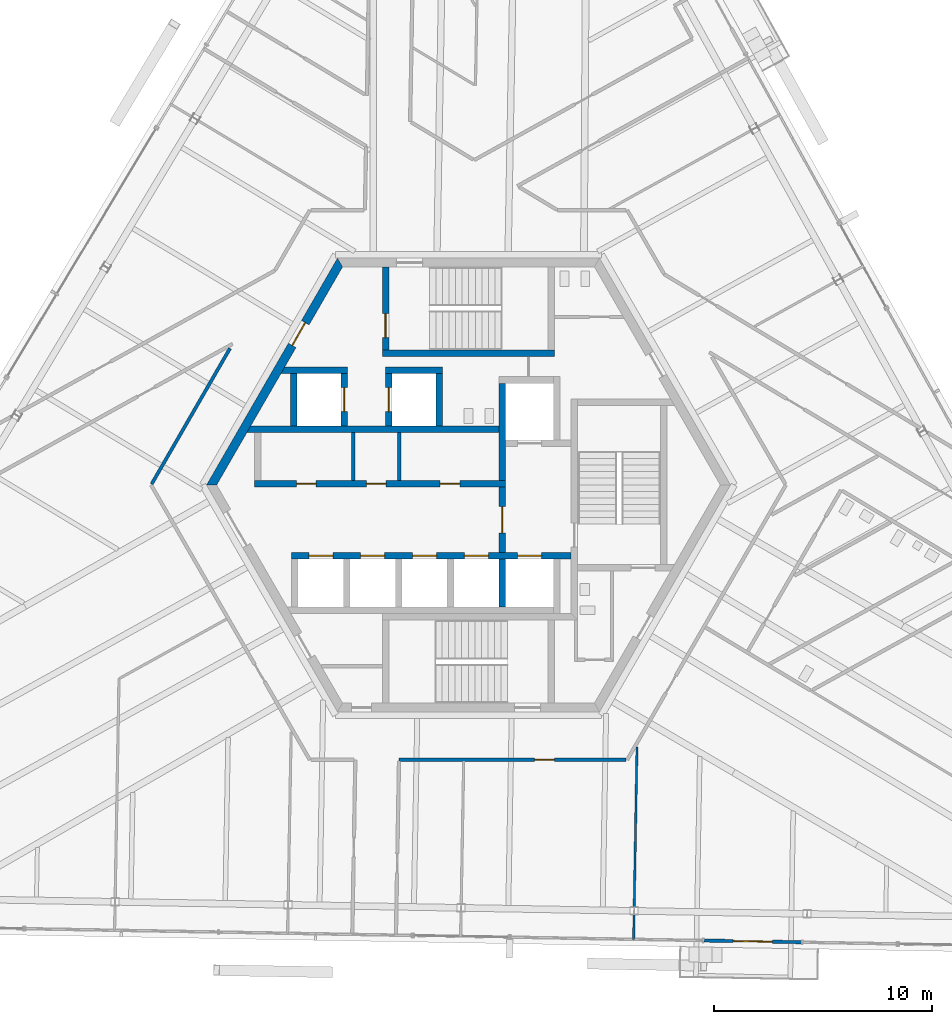
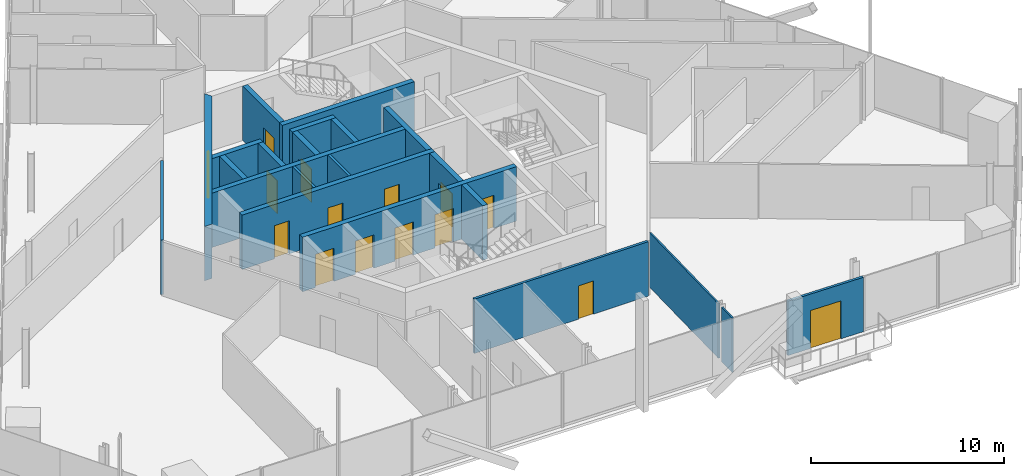
# One storey, part 12 of 21: 22 walls, 15 doors, 15 openings.
"""IFC4 building model written with IfcOpenShell, lengths in metres."""

from ifc_helpers import new_model, si_unit, direction, frame, frame_2d, origin, place, context, subcontext, project, spatial, polyline, rectangle, outline, extrude, source, transform, mapped, material, layer, layer_set, type_object, element, fill, save


model = new_model("IFC4")

# Units and contexts
model_context = context("Model", 3, precision=1e-05, world=origin(), true_north=direction((0.0, 1.0)))
body_context = subcontext(model_context, "Body", "Model", "MODEL_VIEW")
ifc_project = project(units=[si_unit("LENGTHUNIT", "METRE"), si_unit("AREAUNIT", "SQUARE_METRE"), si_unit("VOLUMEUNIT", "CUBIC_METRE"), si_unit("PLANEANGLEUNIT", "RADIAN"), si_unit("MASSUNIT", "GRAM", prefix="KILO")], contexts=[model_context])

# Site, building, storey
site_placement = place(None, origin())
site = spatial("IfcSite", under=ifc_project, at=site_placement, CompositionType="ELEMENT")
building_placement = place(site_placement, origin())
building = spatial("IfcBuilding", under=site, at=building_placement, Name="Triune Harvest Tower", CompositionType="ELEMENT")
storey_placement = place(building_placement, frame((0.0, 0.0, 201.5)))
storey = spatial("IfcBuildingStorey", under=building, at=storey_placement, Name="L52", CompositionType="ELEMENT", Elevation=201.5)

# Wall, opening, door
ifc_material_1 = material(Name="Concrete 70 MPa", Category="concrete")
ifc_layer_1 = layer(ifc_material_1, 0.39990234375)
ifc_layer_set_1 = layer_set([ifc_layer_1], Name="Concrete 70 MPa")
wall_type_1 = type_object("IfcWallType", Name="Core wall 400", PredefinedType="SHEAR", material=ifc_layer_set_1)
shared_shape_1 = source(origin(), body_context, "Body", "SweptSolid", [
    extrude(outline(polyline([(-0.115478515625, -0.199951171875), (11.884521484375, -0.199951171875), (11.653564453125, 0.199951171875), (0.115478515625, 0.199951171875), (-0.115478515625, -0.199951171875)])), origin(), (0.0, 0.0, 1.0), 3.43994140625),
])
wall_1_placement = place(storey_placement, frame((-5.884521484375, 10.1923828125, 0.0), z_axis=(0.0, 0.0, 1.0), x_axis=(-0.499996592174, -0.866027371285, 0.0)))
wall_1 = element("IfcWall", 1, at=wall_1_placement, inside=storey, type_object=wall_type_1, Name="Hexagon 2 wall", PredefinedType="SHEAR", context=body_context, shape_type="MappedRepresentation", body=[
    mapped(shared_shape_1, transform((0.0, 0.0, 0.0), scale=1.0)),
])
opening_1_placement = place(wall_1_placement, frame((3.1845703125, 0.0, 0.0)))
opening_1 = element("IfcOpeningElement", 2, at=opening_1_placement, cuts=wall_1, Name="Opening CD-SVP", PredefinedType="OPENING", context=body_context, shape_type="SweptSolid", body=[
    extrude(rectangle(XDim=1.199951171875, YDim=2.10009765625, at=frame_2d((0.60009765625, 1.050048828125))), frame((0.0, 0.2099609375, 0.0), z_axis=(0.0, -1.0, 0.0), x_axis=(1.0, 0.0, 0.0)), (0.0, 0.0, 1.0), 0.419921875),
])
ifc_material_2 = material(Name="Steel S235", Category="steel")
door_type_1 = type_object("IfcDoorType", Name="Service door 1200 FD120", OperationType="SINGLE_SWING_LEFT", PredefinedType="DOOR", material=ifc_material_2)
door_1_placement = place(opening_1_placement, frame((1.199951171875, 0.0, 0.0), z_axis=(0.0, 0.0, 1.0), x_axis=(-1.0, 0.0, 0.0)))
door_1 = element("IfcDoor", 3, at=door_1_placement, inside=storey, type_object=door_type_1, Name="Door CD-SVP", OperationType="SINGLE_SWING_RIGHT", OverallHeight=2.10009765625, OverallWidth=1.199951171875, PredefinedType="DOOR", context=body_context, shape_type="SweptSolid", body=[
    extrude(rectangle(XDim=1.199951171875, YDim=2.10009765625, at=frame_2d((0.60009765625, 1.050048828125))), frame((0.0, 0.02490234375, 0.0), z_axis=(0.0, -1.0, 0.0), x_axis=(1.0, 0.0, 0.0)), (0.0, 0.0, 1.0), 0.050048828125),
])
fill(opening_1, door_1)

# Wall, openings, doors
ifc_material_3 = material(Name="Concrete 70 MPa", Category="concrete")
ifc_layer_2 = layer(ifc_material_3, 0.300048828125)
ifc_layer_set_2 = layer_set([ifc_layer_2], Name="Concrete 70 MPa")
wall_type_2 = type_object("IfcWallType", Name="Core wall 300", PredefinedType="SHEAR", material=ifc_layer_set_2)
shared_shape_2 = source(origin(), body_context, "Body", "SweptSolid", [
    extrude(rectangle(XDim=11.5, YDim=0.300048828125, at=frame_2d((5.75, 0.0))), origin(), (0.0, 0.0, 1.0), 3.43994140625),
])
wall_2_placement = place(storey_placement, frame((-9.800048828125, 0.06005859375, 0.0), z_axis=(0.0, 0.0, 1.0), x_axis=(1.0, 0.0, 0.0)))
wall_2 = element("IfcWall", 4, at=wall_2_placement, inside=storey, type_object=wall_type_2, Name="North front wall", PredefinedType="SHEAR", context=body_context, shape_type="MappedRepresentation", body=[
    mapped(shared_shape_2, transform((0.0, 0.0, 0.0), scale=1.0)),
])
opening_2_placement = place(wall_2_placement, frame((1.922607421875, 0.0, 0.0)))
opening_2 = element("IfcOpeningElement", 5, at=opening_2_placement, cuts=wall_2, Name="Opening CD-RN1", PredefinedType="OPENING", context=body_context, shape_type="SweptSolid", body=[
    extrude(rectangle(XDim=0.89990234375, YDim=2.10009765625, at=frame_2d((0.449951171875, 1.050048828125))), frame((0.0, 0.16015625, 0.0), z_axis=(0.0, -1.0, 0.0), x_axis=(1.0, 0.0, 0.0)), (0.0, 0.0, 1.0), 0.320068359375),
])
opening_3_placement = place(wall_2_placement, frame((5.125, 0.0, 0.0)))
opening_3 = element("IfcOpeningElement", 6, at=opening_3_placement, cuts=wall_2, Name="Opening CD-RN2", PredefinedType="OPENING", context=body_context, shape_type="SweptSolid", body=[
    extrude(rectangle(XDim=0.89990234375, YDim=2.10009765625, at=frame_2d((0.449951171875, 1.050048828125))), frame((0.0, 0.16015625, 0.0), z_axis=(0.0, -1.0, 0.0), x_axis=(1.0, 0.0, 0.0)), (0.0, 0.0, 1.0), 0.320068359375),
])
opening_4_placement = place(wall_2_placement, frame((8.50244140625, 0.0, 0.0)))
opening_4 = element("IfcOpeningElement", 7, at=opening_4_placement, cuts=wall_2, Name="Opening CD-RN3", PredefinedType="OPENING", context=body_context, shape_type="SweptSolid", body=[
    extrude(rectangle(XDim=0.89990234375, YDim=2.10009765625, at=frame_2d((0.449951171875, 1.050048828125))), frame((0.0, 0.16015625, 0.0), z_axis=(0.0, -1.0, 0.0), x_axis=(1.0, 0.0, 0.0)), (0.0, 0.0, 1.0), 0.320068359375),
])
ifc_material_4 = material(Name="Steel S235", Category="steel")
door_type_2 = type_object("IfcDoorType", Name="Riser door 900 FD120", OperationType="SINGLE_SWING_LEFT", PredefinedType="DOOR", material=ifc_material_4)
door_2_placement = place(opening_2_placement, frame((0.89990234375, 0.0, 0.0), z_axis=(0.0, 0.0, 1.0), x_axis=(-1.0, 0.0, 0.0)))
door_2 = element("IfcDoor", 8, at=door_2_placement, inside=storey, type_object=door_type_2, Name="Door CD-RN1", OperationType="SINGLE_SWING_RIGHT", OverallHeight=2.10009765625, OverallWidth=0.89990234375, PredefinedType="DOOR", context=body_context, shape_type="SweptSolid", body=[
    extrude(rectangle(XDim=0.89990234375, YDim=2.10009765625, at=frame_2d((0.449951171875, 1.050048828125))), frame((0.0, 0.02490234375, 0.0), z_axis=(0.0, -1.0, 0.0), x_axis=(1.0, 0.0, 0.0)), (0.0, 0.0, 1.0), 0.050048828125),
])
fill(opening_2, door_2)
door_3_placement = place(opening_3_placement, frame((0.89990234375, 0.0, 0.0), z_axis=(0.0, 0.0, 1.0), x_axis=(-1.0, 0.0, 0.0)))
door_3 = element("IfcDoor", 9, at=door_3_placement, inside=storey, type_object=door_type_2, Name="Door CD-RN2", OperationType="SINGLE_SWING_RIGHT", OverallHeight=2.10009765625, OverallWidth=0.89990234375, PredefinedType="DOOR", context=body_context, shape_type="SweptSolid", body=[
    extrude(rectangle(XDim=0.89990234375, YDim=2.10009765625, at=frame_2d((0.449951171875, 1.050048828125))), frame((0.0, 0.02490234375, 0.0), z_axis=(0.0, -1.0, 0.0), x_axis=(1.0, 0.0, 0.0)), (0.0, 0.0, 1.0), 0.050048828125),
])
fill(opening_3, door_3)
door_4_placement = place(opening_4_placement, frame((0.89990234375, 0.0, 0.0), z_axis=(0.0, 0.0, 1.0), x_axis=(-1.0, 0.0, 0.0)))
door_4 = element("IfcDoor", 10, at=door_4_placement, inside=storey, type_object=door_type_2, Name="Door CD-RN3", OperationType="SINGLE_SWING_RIGHT", OverallHeight=2.10009765625, OverallWidth=0.89990234375, PredefinedType="DOOR", context=body_context, shape_type="SweptSolid", body=[
    extrude(rectangle(XDim=0.89990234375, YDim=2.10009765625, at=frame_2d((0.449951171875, 1.050048828125))), frame((0.0, 0.02490234375, 0.0), z_axis=(0.0, -1.0, 0.0), x_axis=(1.0, 0.0, 0.0)), (0.0, 0.0, 1.0), 0.050048828125),
])
fill(opening_4, door_4)

# Walls
shared_shape_3 = source(origin(), body_context, "Body", "SweptSolid", [
    extrude(outline(polyline([(11.199951171875, -0.14990234375), (-0.34912109375, -0.14990234375), (-0.17578125, 0.14990234375), (11.199951171875, 0.14990234375), (11.199951171875, -0.14990234375)])), origin(), (0.0, 0.0, 1.0), 3.43994140625),
])
wall_3_placement = place(storey_placement, frame((-9.800048828125, 2.56005859375, 0.0), z_axis=(0.0, 0.0, 1.0), x_axis=(1.0, 0.0, 0.0)))
element("IfcWall", 11, at=wall_3_placement, inside=storey, type_object=wall_type_2, Name="North back wall", PredefinedType="SHEAR", context=body_context, shape_type="MappedRepresentation", body=[
    mapped(shared_shape_3, transform((0.0, 0.0, 0.0), scale=1.0)),
])
shared_shape_4 = source(origin(), body_context, "Body", "SweptSolid", [
    extrude(rectangle(XDim=4.449951171875, YDim=0.300048828125, at=frame_2d((2.22509765625, 0.0))), origin(), (0.0, 0.0, 1.0), 3.43994140625),
])
wall_4_placement = place(storey_placement, frame((1.550048828125, 0.2099609375, 0.0), z_axis=(0.0, 0.0, 1.0), x_axis=(0.0, 1.0, 0.0)))
element("IfcWall", 12, at=wall_4_placement, inside=storey, type_object=wall_type_2, Name="Ff1 west wall", PredefinedType="SHEAR", context=body_context, shape_type="MappedRepresentation", body=[
    mapped(shared_shape_4, transform((0.0, 0.0, 0.0), scale=1.0)),
])

# Wall, opening, door
shared_shape_5 = source(origin(), body_context, "Body", "SweptSolid", [
    extrude(rectangle(XDim=3.0, YDim=0.300048828125, at=frame_2d((1.5, 0.0))), origin(), (0.0, 0.0, 1.0), 3.43994140625),
])
wall_5_placement = place(storey_placement, frame((1.550048828125, -3.090087890625, 0.0), z_axis=(0.0, 0.0, 1.0), x_axis=(0.0, 1.0, 0.0)))
wall_5 = element("IfcWall", 13, at=wall_5_placement, inside=storey, type_object=wall_type_2, Name="Ff lobby west wall", PredefinedType="SHEAR", context=body_context, shape_type="MappedRepresentation", body=[
    mapped(shared_shape_5, transform((0.0, 0.0, 0.0), scale=1.0)),
])
opening_5_placement = place(wall_5_placement, frame((0.89990234375, 0.0, 0.0)))
opening_5 = element("IfcOpeningElement", 14, at=opening_5_placement, cuts=wall_5, Name="Opening CD-FL", PredefinedType="OPENING", context=body_context, shape_type="SweptSolid", body=[
    extrude(rectangle(XDim=1.199951171875, YDim=2.10009765625, at=frame_2d((0.60009765625, 1.050048828125))), frame((0.0, 0.16015625, 0.0), z_axis=(0.0, -1.0, 0.0), x_axis=(1.0, 0.0, 0.0)), (0.0, 0.0, 1.0), 0.320068359375),
])
ifc_material_5 = material(Name="Steel S235", Category="steel")
door_type_3 = type_object("IfcDoorType", Name="Firefighters' lobby door 1200 FD120", OperationType="SINGLE_SWING_LEFT", PredefinedType="DOOR", material=ifc_material_5)
door_5_placement = place(opening_5_placement, frame((1.199951171875, 0.0, 0.0), z_axis=(0.0, 0.0, 1.0), x_axis=(-1.0, 0.0, 0.0)))
door_5 = element("IfcDoor", 15, at=door_5_placement, inside=storey, type_object=door_type_3, Name="Door CD-FL", OperationType="SINGLE_SWING_RIGHT", OverallHeight=2.10009765625, OverallWidth=1.199951171875, PredefinedType="DOOR", context=body_context, shape_type="SweptSolid", body=[
    extrude(rectangle(XDim=1.199951171875, YDim=2.10009765625, at=frame_2d((0.60009765625, 1.050048828125))), frame((0.0, 0.02490234375, 0.0), z_axis=(0.0, -1.0, 0.0), x_axis=(1.0, 0.0, 0.0)), (0.0, 0.0, 1.0), 0.050048828125),
])
fill(opening_5, door_5)

# Wall, openings, doors
shared_shape_6 = source(origin(), body_context, "Body", "SweptSolid", [
    extrude(rectangle(XDim=12.800048828125, YDim=0.300048828125, at=frame_2d((6.39990234375, 0.0))), origin(), (0.0, 0.0, 1.0), 3.43994140625),
])
wall_6_placement = place(storey_placement, frame((-8.10009765625, -3.239990234375, 0.0), z_axis=(0.0, 0.0, 1.0), x_axis=(1.0, 0.0, 0.0)))
wall_6 = element("IfcWall", 16, at=wall_6_placement, inside=storey, type_object=wall_type_2, Name="South front wall", PredefinedType="SHEAR", context=body_context, shape_type="MappedRepresentation", body=[
    mapped(shared_shape_6, transform((0.0, 0.0, 0.0), scale=1.0)),
])
opening_6_placement = place(wall_6_placement, frame((0.78759765625, 0.0, 0.0)))
opening_6 = element("IfcOpeningElement", 17, at=opening_6_placement, cuts=wall_6, Name="Opening LD-HR1-52", PredefinedType="OPENING", context=body_context, shape_type="SweptSolid", body=[
    extrude(rectangle(XDim=1.10009765625, YDim=2.10009765625, at=frame_2d((0.550048828125, 1.050048828125))), frame((0.0, 0.16015625, 0.0), z_axis=(0.0, -1.0, 0.0), x_axis=(1.0, 0.0, 0.0)), (0.0, 0.0, 1.0), 0.320068359375),
])
opening_7_placement = place(wall_6_placement, frame((3.16259765625, 0.0, 0.0)))
opening_7 = element("IfcOpeningElement", 18, at=opening_7_placement, cuts=wall_6, Name="Opening LD-HR2-52", PredefinedType="OPENING", context=body_context, shape_type="SweptSolid", body=[
    extrude(rectangle(XDim=1.10009765625, YDim=2.10009765625, at=frame_2d((0.550048828125, 1.050048828125))), frame((0.0, 0.16015625, 0.0), z_axis=(0.0, -1.0, 0.0), x_axis=(1.0, 0.0, 0.0)), (0.0, 0.0, 1.0), 0.320068359375),
])
opening_8_placement = place(wall_6_placement, frame((5.53759765625, 0.0, 0.0)))
opening_8 = element("IfcOpeningElement", 19, at=opening_8_placement, cuts=wall_6, Name="Opening LD-HR3-52", PredefinedType="OPENING", context=body_context, shape_type="SweptSolid", body=[
    extrude(rectangle(XDim=1.10009765625, YDim=2.10009765625, at=frame_2d((0.550048828125, 1.050048828125))), frame((0.0, 0.16015625, 0.0), z_axis=(0.0, -1.0, 0.0), x_axis=(1.0, 0.0, 0.0)), (0.0, 0.0, 1.0), 0.320068359375),
])
opening_9_placement = place(wall_6_placement, frame((7.91259765625, 0.0, 0.0)))
opening_9 = element("IfcOpeningElement", 20, at=opening_9_placement, cuts=wall_6, Name="Opening LD-HR4-52", PredefinedType="OPENING", context=body_context, shape_type="SweptSolid", body=[
    extrude(rectangle(XDim=1.10009765625, YDim=2.10009765625, at=frame_2d((0.550048828125, 1.050048828125))), frame((0.0, 0.16015625, 0.0), z_axis=(0.0, -1.0, 0.0), x_axis=(1.0, 0.0, 0.0)), (0.0, 0.0, 1.0), 0.320068359375),
])
opening_10_placement = place(wall_6_placement, frame((10.35009765625, 0.0, 0.0)))
opening_10 = element("IfcOpeningElement", 21, at=opening_10_placement, cuts=wall_6, Name="Opening LD-FF2-52", PredefinedType="OPENING", context=body_context, shape_type="SweptSolid", body=[
    extrude(rectangle(XDim=1.10009765625, YDim=2.10009765625, at=frame_2d((0.550048828125, 1.050048828125))), frame((0.0, 0.16015625, 0.0), z_axis=(0.0, -1.0, 0.0), x_axis=(1.0, 0.0, 0.0)), (0.0, 0.0, 1.0), 0.320068359375),
])
ifc_material_6 = material(Name="Stainless steel AISI 304", Category="steel")
door_type_4 = type_object("IfcDoorType", Name="Landing door 1100 x 2100", OperationType="DOUBLE_DOOR_SLIDING", PredefinedType="DOOR", material=ifc_material_6)
door_6_placement = place(opening_6_placement, origin())
door_6 = element("IfcDoor", 22, at=door_6_placement, inside=storey, type_object=door_type_4, Name="Door LD-HR1-52", OperationType="DOUBLE_DOOR_SLIDING", OverallHeight=2.10009765625, OverallWidth=1.10009765625, PredefinedType="DOOR", context=body_context, shape_type="SweptSolid", body=[
    extrude(rectangle(XDim=1.10009765625, YDim=2.10009765625, at=frame_2d((0.550048828125, 1.050048828125))), frame((0.0, 0.02490234375, 0.0), z_axis=(0.0, -1.0, 0.0), x_axis=(1.0, 0.0, 0.0)), (0.0, 0.0, 1.0), 0.050048828125),
])
fill(opening_6, door_6)
door_7_placement = place(opening_7_placement, origin())
door_7 = element("IfcDoor", 23, at=door_7_placement, inside=storey, type_object=door_type_4, Name="Door LD-HR2-52", OperationType="DOUBLE_DOOR_SLIDING", OverallHeight=2.10009765625, OverallWidth=1.10009765625, PredefinedType="DOOR", context=body_context, shape_type="SweptSolid", body=[
    extrude(rectangle(XDim=1.10009765625, YDim=2.10009765625, at=frame_2d((0.550048828125, 1.050048828125))), frame((0.0, 0.02490234375, 0.0), z_axis=(0.0, -1.0, 0.0), x_axis=(1.0, 0.0, 0.0)), (0.0, 0.0, 1.0), 0.050048828125),
])
fill(opening_7, door_7)
door_8_placement = place(opening_8_placement, origin())
door_8 = element("IfcDoor", 24, at=door_8_placement, inside=storey, type_object=door_type_4, Name="Door LD-HR3-52", OperationType="DOUBLE_DOOR_SLIDING", OverallHeight=2.10009765625, OverallWidth=1.10009765625, PredefinedType="DOOR", context=body_context, shape_type="SweptSolid", body=[
    extrude(rectangle(XDim=1.10009765625, YDim=2.10009765625, at=frame_2d((0.550048828125, 1.050048828125))), frame((0.0, 0.02490234375, 0.0), z_axis=(0.0, -1.0, 0.0), x_axis=(1.0, 0.0, 0.0)), (0.0, 0.0, 1.0), 0.050048828125),
])
fill(opening_8, door_8)
door_9_placement = place(opening_9_placement, origin())
door_9 = element("IfcDoor", 25, at=door_9_placement, inside=storey, type_object=door_type_4, Name="Door LD-HR4-52", OperationType="DOUBLE_DOOR_SLIDING", OverallHeight=2.10009765625, OverallWidth=1.10009765625, PredefinedType="DOOR", context=body_context, shape_type="SweptSolid", body=[
    extrude(rectangle(XDim=1.10009765625, YDim=2.10009765625, at=frame_2d((0.550048828125, 1.050048828125))), frame((0.0, 0.02490234375, 0.0), z_axis=(0.0, -1.0, 0.0), x_axis=(1.0, 0.0, 0.0)), (0.0, 0.0, 1.0), 0.050048828125),
])
fill(opening_9, door_9)
door_10_placement = place(opening_10_placement, origin())
door_10 = element("IfcDoor", 26, at=door_10_placement, inside=storey, type_object=door_type_4, Name="Door LD-FF2-52", OperationType="DOUBLE_DOOR_SLIDING", OverallHeight=2.10009765625, OverallWidth=1.10009765625, PredefinedType="DOOR", context=body_context, shape_type="SweptSolid", body=[
    extrude(rectangle(XDim=1.10009765625, YDim=2.10009765625, at=frame_2d((0.550048828125, 1.050048828125))), frame((0.0, 0.02490234375, 0.0), z_axis=(0.0, -1.0, 0.0), x_axis=(1.0, 0.0, 0.0)), (0.0, 0.0, 1.0), 0.050048828125),
])
fill(opening_10, door_10)

# Walls
shared_shape_7 = source(origin(), body_context, "Body", "SweptSolid", [
    extrude(rectangle(XDim=2.2001953125, YDim=0.300048828125, at=frame_2d((1.10009765625, 0.0))), origin(), (0.0, 0.0, 1.0), 3.43994140625),
])
wall_7_placement = place(storey_placement, frame((1.550048828125, -5.590087890625, 0.0), z_axis=(0.0, 0.0, 1.0), x_axis=(0.0, 1.0, 0.0)))
element("IfcWall", 27, at=wall_7_placement, inside=storey, type_object=wall_type_2, Name="Ff2 west wall", PredefinedType="SHEAR", context=body_context, shape_type="MappedRepresentation", body=[
    mapped(shared_shape_7, transform((0.0, 0.0, 0.0), scale=1.0)),
])
shared_shape_8 = source(origin(), body_context, "Body", "SweptSolid", [
    extrude(rectangle(XDim=7.89990234375, YDim=0.300048828125, at=frame_2d((3.949951171875, 0.0))), origin(), (0.0, 0.0, 1.0), 3.43994140625),
])
wall_8_placement = place(storey_placement, frame((-3.949951171875, 6.0400390625, 0.0), z_axis=(0.0, 0.0, 1.0), x_axis=(1.0, 0.0, 0.0)))
element("IfcWall", 28, at=wall_8_placement, inside=storey, type_object=wall_type_2, Name="Stair n south wall", PredefinedType="SHEAR", context=body_context, shape_type="MappedRepresentation", body=[
    mapped(shared_shape_8, transform((0.0, 0.0, 0.0), scale=1.0)),
])

# Wall, opening, door
shared_shape_9 = source(origin(), body_context, "Body", "SweptSolid", [
    extrude(outline(polyline([(0.0, -0.14990234375), (0.0, 0.14990234375), (3.80419921875, 0.14990234375), (3.80419921875, -0.14990234375), (0.0, -0.14990234375)])), origin(), (0.0, 0.0, 1.0), 3.43994140625),
])
wall_9_placement = place(storey_placement, frame((-3.800048828125, 6.18994140625, 0.0), z_axis=(0.0, 0.0, 1.0), x_axis=(0.0, 1.0, 0.0)))
wall_9 = element("IfcWall", 29, at=wall_9_placement, inside=storey, type_object=wall_type_2, Name="Stair n west wall", PredefinedType="SHEAR", context=body_context, shape_type="MappedRepresentation", body=[
    mapped(shared_shape_9, transform((0.0, 0.0, 0.0), scale=1.0)),
])
opening_11_placement = place(wall_9_placement, frame((0.56005859375, 0.0, 0.0)))
opening_11 = element("IfcOpeningElement", 30, at=opening_11_placement, cuts=wall_9, Name="Opening CD-S1L", PredefinedType="OPENING", context=body_context, shape_type="SweptSolid", body=[
    extrude(rectangle(XDim=1.10009765625, YDim=2.10009765625, at=frame_2d((0.550048828125, 1.050048828125))), frame((0.0, 0.16015625, 0.0), z_axis=(0.0, -1.0, 0.0), x_axis=(1.0, 0.0, 0.0)), (0.0, 0.0, 1.0), 0.320068359375),
])
ifc_material_7 = material(Name="Steel S235", Category="steel")
door_type_5 = type_object("IfcDoorType", Name="Stair door 1100 FD120", OperationType="SINGLE_SWING_LEFT", PredefinedType="DOOR", material=ifc_material_7)
door_11_placement = place(opening_11_placement, frame((1.10009765625, 0.0, 0.0), z_axis=(0.0, 0.0, 1.0), x_axis=(-1.0, 0.0, 0.0)))
door_11 = element("IfcDoor", 31, at=door_11_placement, inside=storey, type_object=door_type_5, Name="Door CD-S1L", OperationType="SINGLE_SWING_RIGHT", OverallHeight=2.10009765625, OverallWidth=1.10009765625, PredefinedType="DOOR", context=body_context, shape_type="SweptSolid", body=[
    extrude(rectangle(XDim=1.10009765625, YDim=2.10009765625, at=frame_2d((0.550048828125, 1.050048828125))), frame((0.0, 0.02490234375, 0.0), z_axis=(0.0, -1.0, 0.0), x_axis=(1.0, 0.0, 0.0)), (0.0, 0.0, 1.0), 0.050048828125),
])
fill(opening_11, door_11)

# Walls
shared_shape_10 = source(origin(), body_context, "Body", "SweptSolid", [
    extrude(outline(polyline([(2.60009765625, -0.14990234375), (-0.440185546875, -0.14990234375), (-0.26708984375, 0.14990234375), (2.60009765625, 0.14990234375), (2.60009765625, -0.14990234375)])), origin(), (0.0, 0.0, 1.0), 3.43994140625),
])
wall_10_placement = place(storey_placement, frame((-8.14990234375, 5.260009765625, 0.0), z_axis=(0.0, 0.0, 1.0), x_axis=(1.0, 0.0, 0.0)))
element("IfcWall", 32, at=wall_10_placement, inside=storey, type_object=wall_type_2, Name="Sv1 north wall", PredefinedType="SHEAR", context=body_context, shape_type="MappedRepresentation", body=[
    mapped(shared_shape_10, transform((0.0, 0.0, 0.0), scale=1.0)),
])
shared_shape_11 = source(origin(), body_context, "Body", "SweptSolid", [
    extrude(rectangle(XDim=2.400146484375, YDim=0.300048828125, at=frame_2d((1.2001953125, 0.0))), origin(), (0.0, 0.0, 1.0), 3.43994140625),
])
wall_11_placement = place(storey_placement, frame((-8.0, 2.7099609375, 0.0), z_axis=(0.0, 0.0, 1.0), x_axis=(0.0, 1.0, 0.0)))
element("IfcWall", 33, at=wall_11_placement, inside=storey, type_object=wall_type_2, Name="Sv1 west wall", PredefinedType="SHEAR", context=body_context, shape_type="MappedRepresentation", body=[
    mapped(shared_shape_11, transform((0.0, 0.0, 0.0), scale=1.0)),
])

# Wall, opening, door
wall_12_placement = place(storey_placement, frame((-5.699951171875, 2.7099609375, 0.0), z_axis=(0.0, 0.0, 1.0), x_axis=(0.0, 1.0, 0.0)))
wall_12 = element("IfcWall", 34, at=wall_12_placement, inside=storey, type_object=wall_type_2, Name="Sv1 east wall", PredefinedType="SHEAR", context=body_context, shape_type="MappedRepresentation", body=[
    mapped(shared_shape_11, transform((0.0, 0.0, 0.0), scale=1.0)),
])
opening_12_placement = place(wall_12_placement, frame((0.64990234375, 0.0, 0.0)))
opening_12 = element("IfcOpeningElement", 35, at=opening_12_placement, cuts=wall_12, Name="Opening LD-SV1-52", PredefinedType="OPENING", context=body_context, shape_type="SweptSolid", body=[
    extrude(rectangle(XDim=1.10009765625, YDim=2.10009765625, at=frame_2d((0.550048828125, 1.050048828125))), frame((0.0, 0.16015625, 0.0), z_axis=(0.0, -1.0, 0.0), x_axis=(1.0, 0.0, 0.0)), (0.0, 0.0, 1.0), 0.320068359375),
])
door_12_placement = place(opening_12_placement, origin())
door_12 = element("IfcDoor", 36, at=door_12_placement, inside=storey, type_object=door_type_4, Name="Door LD-SV1-52", OperationType="DOUBLE_DOOR_SLIDING", OverallHeight=2.10009765625, OverallWidth=1.10009765625, PredefinedType="DOOR", context=body_context, shape_type="SweptSolid", body=[
    extrude(rectangle(XDim=1.10009765625, YDim=2.10009765625, at=frame_2d((0.550048828125, 1.050048828125))), frame((0.0, 0.02490234375, 0.0), z_axis=(0.0, -1.0, 0.0), x_axis=(1.0, 0.0, 0.0)), (0.0, 0.0, 1.0), 0.050048828125),
])
fill(opening_12, door_12)

wall_13_placement = place(storey_placement, frame((-3.64990234375, 2.7099609375, 0.0), z_axis=(0.0, 0.0, 1.0), x_axis=(0.0, 1.0, 0.0)))
wall_13 = element("IfcWall", 37, at=wall_13_placement, inside=storey, type_object=wall_type_2, Name="Sv2 west wall", PredefinedType="SHEAR", context=body_context, shape_type="MappedRepresentation", body=[
    mapped(shared_shape_11, transform((0.0, 0.0, 0.0), scale=1.0)),
])
opening_13_placement = place(wall_13_placement, frame((0.64990234375, 0.0, 0.0)))
opening_13 = element("IfcOpeningElement", 38, at=opening_13_placement, cuts=wall_13, Name="Opening LD-SV2-52", PredefinedType="OPENING", context=body_context, shape_type="SweptSolid", body=[
    extrude(rectangle(XDim=1.10009765625, YDim=2.10009765625, at=frame_2d((0.550048828125, 1.050048828125))), frame((0.0, 0.16015625, 0.0), z_axis=(0.0, -1.0, 0.0), x_axis=(1.0, 0.0, 0.0)), (0.0, 0.0, 1.0), 0.320068359375),
])
door_13_placement = place(opening_13_placement, origin())
door_13 = element("IfcDoor", 39, at=door_13_placement, inside=storey, type_object=door_type_4, Name="Door LD-SV2-52", OperationType="DOUBLE_DOOR_SLIDING", OverallHeight=2.10009765625, OverallWidth=1.10009765625, PredefinedType="DOOR", context=body_context, shape_type="SweptSolid", body=[
    extrude(rectangle(XDim=1.10009765625, YDim=2.10009765625, at=frame_2d((0.550048828125, 1.050048828125))), frame((0.0, 0.02490234375, 0.0), z_axis=(0.0, -1.0, 0.0), x_axis=(1.0, 0.0, 0.0)), (0.0, 0.0, 1.0), 0.050048828125),
])
fill(opening_13, door_13)

# Walls
wall_14_placement = place(storey_placement, frame((-1.35009765625, 2.7099609375, 0.0), z_axis=(0.0, 0.0, 1.0), x_axis=(0.0, 1.0, 0.0)))
element("IfcWall", 40, at=wall_14_placement, inside=storey, type_object=wall_type_2, Name="Sv2 east wall", PredefinedType="SHEAR", context=body_context, shape_type="MappedRepresentation", body=[
    mapped(shared_shape_11, transform((0.0, 0.0, 0.0), scale=1.0)),
])
shared_shape_12 = source(origin(), body_context, "Body", "SweptSolid", [
    extrude(rectangle(XDim=2.60009765625, YDim=0.300048828125, at=frame_2d((1.300048828125, 0.0))), origin(), (0.0, 0.0, 1.0), 3.43994140625),
])
wall_15_placement = place(storey_placement, frame((-3.800048828125, 5.260009765625, 0.0), z_axis=(0.0, 0.0, 1.0), x_axis=(1.0, 0.0, 0.0)))
element("IfcWall", 41, at=wall_15_placement, inside=storey, type_object=wall_type_2, Name="Sv2 north wall", PredefinedType="SHEAR", context=body_context, shape_type="MappedRepresentation", body=[
    mapped(shared_shape_12, transform((0.0, 0.0, 0.0), scale=1.0)),
])
ifc_material_8 = material(Name="Concrete masonry unit", Category="masonry")
ifc_layer_3 = layer(ifc_material_8, 0.14990234375)
ifc_layer_set_3 = layer_set([ifc_layer_3], Name="Concrete masonry unit")
wall_type_3 = type_object("IfcWallType", Name="Block partition 150", PredefinedType="PARTITIONING", material=ifc_layer_set_3)
shared_shape_13 = source(origin(), body_context, "Body", "SweptSolid", [
    extrude(rectangle(XDim=2.199951171875, YDim=0.14990234375, at=frame_2d((1.10009765625, 0.0))), origin(), (0.0, 0.0, 1.0), 3.43994140625),
])
for number, where, z_axis, x_axis, name in (
    (42, (-5.280029296875, 0.2099609375, 0.0), (0.0, 0.0, 1.0), (0.0, 1.0, 0.0), "Row n part 1 wall"),
    (43, (-3.169921875, 0.2099609375, 0.0), (0.0, 0.0, 1.0), (0.0, 1.0, 0.0), "Row n part 2 wall"),
):
    element("IfcWall", number, at=place(storey_placement, frame(where, z_axis=z_axis, x_axis=x_axis)), inside=storey, type_object=wall_type_3, Name=name, PredefinedType="PARTITIONING", context=body_context, shape_type="MappedRepresentation", body=[
        mapped(shared_shape_13, transform((0.0, 0.0, 0.0), scale=1.0)),
    ])

# Wall, opening, door
ifc_material_9 = material(Name="Aluminium bronze anodised", Category="aluminium")
ifc_layer_4 = layer(ifc_material_9, 0.14990234375)
ifc_layer_set_4 = layer_set([ifc_layer_4], Name="Aluminium bronze anodised")
wall_type_4 = type_object("IfcWallType", Name="WW-2 balcony window wall", PredefinedType="ELEMENTEDWALL", material=ifc_layer_set_4)
shared_shape_14 = source(origin(), body_context, "Body", "SweptSolid", [
    extrude(rectangle(XDim=4.460693359375, YDim=0.14990234375, at=frame_2d((2.23046875, 0.0))), origin(), (0.0, 0.0, 1.0), 3.43994140625),
])
wall_16_placement = place(storey_placement, frame((15.2490234375, -20.9462890625, 0.0), z_axis=(0.0, 0.0, 1.0), x_axis=(-0.999848524096, 0.017404851689, 0.0)))
wall_16 = element("IfcWall", 44, at=wall_16_placement, inside=storey, type_object=wall_type_4, Name="WW-2 B5-F5 L52.9", PredefinedType="ELEMENTEDWALL", context=body_context, shape_type="MappedRepresentation", body=[
    mapped(shared_shape_14, transform((0.0, 0.0, 0.0), scale=1.0)),
])
opening_14_placement = place(wall_16_placement, frame((1.330322265625, 0.0, 0.0)))
opening_14 = element("IfcOpeningElement", 45, at=opening_14_placement, cuts=wall_16, Name="Opening L52-E02", PredefinedType="OPENING", context=body_context, shape_type="SweptSolid", body=[
    extrude(rectangle(XDim=1.800048828125, YDim=2.39990234375, at=frame_2d((0.89990234375, 1.199951171875))), frame((0.0, 0.0849609375, 0.0), z_axis=(0.0, -1.0, 0.0), x_axis=(1.0, 0.0, 0.0)), (0.0, 0.0, 1.0), 0.169921875),
])
ifc_material_10 = material(Name="Glass", Category="glass")
door_type_6 = type_object("IfcDoorType", Name="DB-1 balcony door 1800 x 2400", OperationType="DOUBLE_DOOR_SINGLE_SWING", PredefinedType="DOOR", material=ifc_material_10)
door_14_placement = place(opening_14_placement, origin())
door_14 = element("IfcDoor", 46, at=door_14_placement, inside=storey, type_object=door_type_6, Name="Door L52-E02", OperationType="DOUBLE_DOOR_SINGLE_SWING", OverallHeight=2.39990234375, OverallWidth=1.800048828125, PredefinedType="DOOR", context=body_context, shape_type="SweptSolid", body=[
    extrude(rectangle(XDim=1.800048828125, YDim=2.39990234375, at=frame_2d((0.89990234375, 1.199951171875))), frame((0.0, 0.02490234375, 0.0), z_axis=(0.0, -1.0, 0.0), x_axis=(1.0, 0.0, 0.0)), (0.0, 0.0, 1.0), 0.050048828125),
])
fill(opening_14, door_14)

# Wall
ifc_material_11 = material(Name="Gypsum board on steel studs", Category="steel")
ifc_layer_5 = layer(ifc_material_11, 0.10009765625)
ifc_layer_set_5 = layer_set([ifc_layer_5], Name="Gypsum board on steel studs")
wall_type_5 = type_object("IfcWallType", Name="Partition 100 mm", PredefinedType="PARTITIONING", material=ifc_layer_set_5)
shared_shape_15 = source(origin(), body_context, "Body", "SweptSolid", [
    extrude(rectangle(XDim=1.130615234375, YDim=0.10009765625, at=frame_2d((0.5654296875, 0.0))), origin(), (0.0, 0.0, 1.0), 3.43994140625),
])
wall_17_placement = place(storey_placement, frame((7.565185546875, -20.812255859375, 0.0), z_axis=(0.0, 0.0, 1.0), x_axis=(0.017491923839, 0.999847004596, 0.0)))
element("IfcWall", 47, at=wall_17_placement, inside=storey, type_object=wall_type_5, Name="Partition L52 046", PredefinedType="PARTITIONING", context=body_context, shape_type="MappedRepresentation", body=[
    mapped(shared_shape_15, transform((0.0, 0.0, 0.0), scale=1.0)),
])

# Wall, opening, door
ifc_material_12 = material(Name="Gypsum board on steel studs", Category="steel")
ifc_layer_6 = layer(ifc_material_12, 0.14990234375)
ifc_layer_set_6 = layer_set([ifc_layer_6], Name="Gypsum board on steel studs")
wall_type_6 = type_object("IfcWallType", Name="Fire Partition 150 mm", PredefinedType="PARTITIONING", material=ifc_layer_set_6)
shared_shape_16 = source(origin(), body_context, "Body", "SweptSolid", [
    extrude(rectangle(XDim=10.404052734375, YDim=0.14990234375, at=frame_2d((5.2021484375, 0.0))), origin(), (0.0, 0.0, 1.0), 3.43994140625),
])
wall_18_placement = place(storey_placement, frame((-3.183837890625, -12.59228515625, 0.0), z_axis=(0.0, 0.0, 1.0), x_axis=(1.0, 0.0, 0.0)))
wall_18 = element("IfcWall", 48, at=wall_18_placement, inside=storey, type_object=wall_type_6, Name="Partition L52 023", PredefinedType="PARTITIONING", context=body_context, shape_type="MappedRepresentation", body=[
    mapped(shared_shape_16, transform((0.0, 0.0, 0.0), scale=1.0)),
])
opening_15_placement = place(wall_18_placement, frame((6.214111328125, 0.0, 0.0)))
opening_15 = element("IfcOpeningElement", 49, at=opening_15_placement, cuts=wall_18, Name="Opening L52-020", PredefinedType="OPENING", context=body_context, shape_type="SweptSolid", body=[
    extrude(rectangle(XDim=0.89990234375, YDim=2.10009765625, at=frame_2d((0.449951171875, 1.050048828125))), frame((0.0, 0.0849609375, 0.0), z_axis=(0.0, -1.0, 0.0), x_axis=(1.0, 0.0, 0.0)), (0.0, 0.0, 1.0), 0.169921875),
])
ifc_material_13 = material(Name="Timber and steel door set", Category="steel")
door_type_7 = type_object("IfcDoorType", Name="Single leaf door FD30 left hand 900 x 2100", OperationType="SINGLE_SWING_LEFT", PredefinedType="DOOR", material=ifc_material_13)
door_15_placement = place(opening_15_placement, origin())
door_15 = element("IfcDoor", 50, at=door_15_placement, inside=storey, type_object=door_type_7, Name="Door L52-020 Pantry 52.20", OperationType="SINGLE_SWING_LEFT", OverallHeight=2.10009765625, OverallWidth=0.89990234375, PredefinedType="DOOR", context=body_context, shape_type="SweptSolid", body=[
    extrude(rectangle(XDim=0.89990234375, YDim=2.10009765625, at=frame_2d((0.449951171875, 1.050048828125))), frame((0.0, 0.02490234375, 0.0), z_axis=(0.0, -1.0, 0.0), x_axis=(1.0, 0.0, 0.0)), (0.0, 0.0, 1.0), 0.050048828125),
])
fill(opening_15, door_15)

# Walls
shared_shape_17 = source(origin(), body_context, "Body", "SweptSolid", [
    extrude(rectangle(XDim=7.178466796875, YDim=0.14990234375, at=frame_2d((3.58935546875, 0.0))), origin(), (0.0, 0.0, 1.0), 3.43994140625),
])
wall_19_placement = place(storey_placement, frame((-14.515380859375, 0.043212890625, 0.0), z_axis=(0.0, 0.0, 1.0), x_axis=(0.500008997517, 0.866020209003, 0.0)))
element("IfcWall", 51, at=wall_19_placement, inside=storey, type_object=wall_type_6, Name="Partition L52 044", PredefinedType="PARTITIONING", context=body_context, shape_type="MappedRepresentation", body=[
    mapped(shared_shape_17, transform((0.0, 0.0, 0.0), scale=1.0)),
])
shared_shape_18 = source(origin(), body_context, "Body", "SweptSolid", [
    extrude(rectangle(XDim=7.3310546875, YDim=0.10009765625, at=frame_2d((3.66552734375, 0.0))), origin(), (0.0, 0.0, 1.0), 3.43994140625),
])
wall_20_placement = place(storey_placement, frame((7.5908203125, -19.3388671875, 0.0), z_axis=(0.0, 0.0, 1.0), x_axis=(0.017450628136, 0.999847726195, 0.0)))
element("IfcWall", 52, at=wall_20_placement, inside=storey, type_object=wall_type_5, Name="Partition L52 047", PredefinedType="PARTITIONING", context=body_context, shape_type="MappedRepresentation", body=[
    mapped(shared_shape_18, transform((0.0, 0.0, 0.0), scale=1.0)),
])

save(model, "model.ifc")
